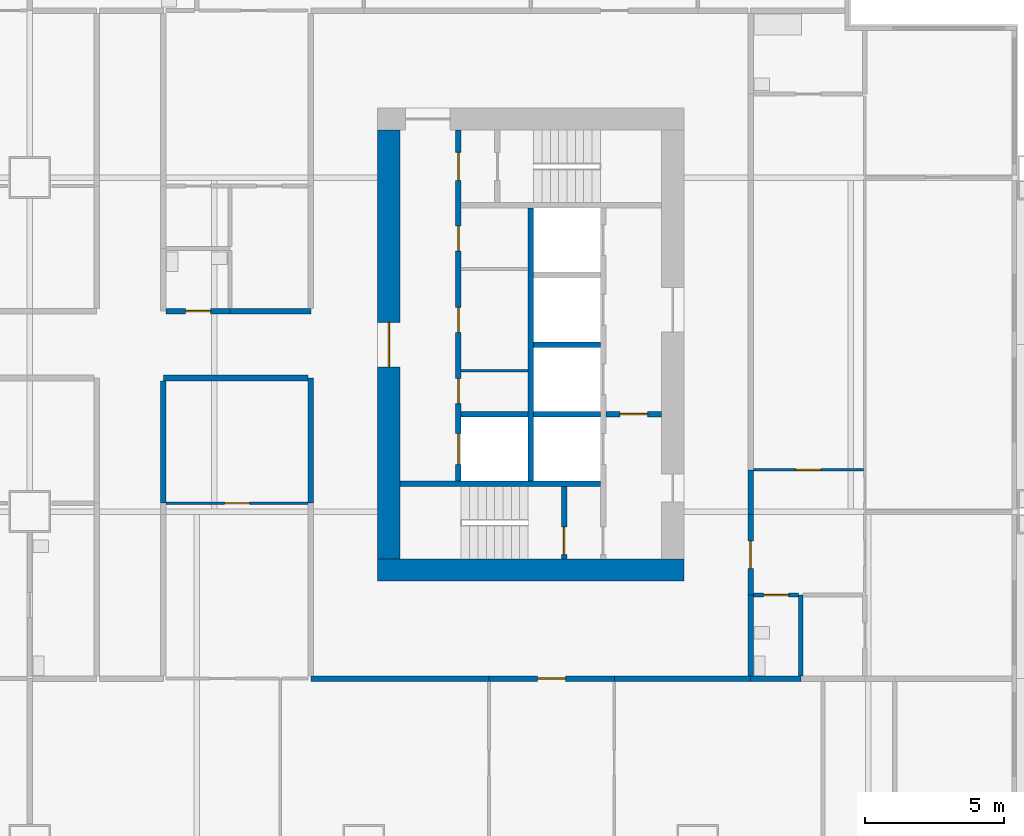
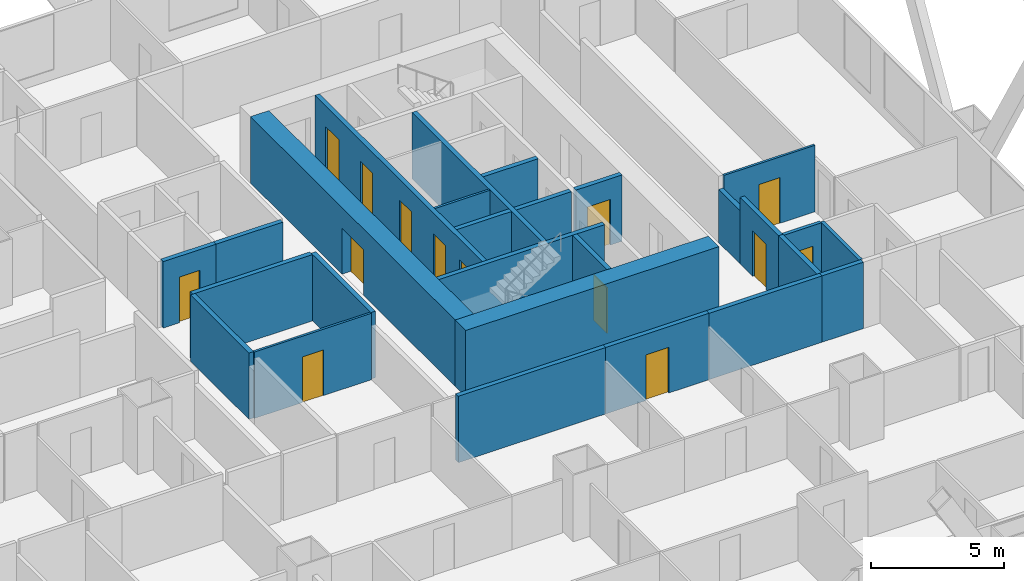
# One storey, part 6 of 13: 27 walls, 14 doors, 14 openings.
"""IFC4 building model written with IfcOpenShell, lengths in metres."""

import ifcopenshell
import ifcopenshell.guid

model = None  # the IFC model being written
_history = None  # IfcOwnerHistory: only IFC2X3 demands one
_inside = {}  # id of a spatial element -> (the spatial element, [elements in it])
_under = {}  # id of a project, library or spatial element -> (it, [spatial elements below it])
_declared = {}  # id of a project -> (the project, [libraries it declares])
_typed = {}  # id of a type object -> (the type object, [elements of that type])
_made_of = {}  # id of a material, layer set ... -> (it, [elements and type objects made of it])


def new_model(schema):
    """Start an empty IFC model of exactly this schema.

    Asked for "IFC4X3", IfcOpenShell would pick the latest addendum, in which some entities
    have other attributes; the version numbers below select the first issue.
    IFC2X3 requires an IfcOwnerHistory on every rooted entity: one is made here for all.
    """
    global model, _history
    if schema == "IFC4X3":
        model = ifcopenshell.file(schema_version=(4, 3, 0, 0))
    else:
        model = ifcopenshell.file(schema=schema)
    _inside.clear()
    _under.clear()
    _declared.clear()
    _typed.clear()
    _made_of.clear()
    _history = None
    if model.schema == "IFC2X3":
        org = make("IfcOrganization", Name="unknown")
        user = make(
            "IfcPersonAndOrganization",
            ThePerson=make("IfcPerson", FamilyName="unknown"),
            TheOrganization=org,
        )
        app = make(
            "IfcApplication",
            ApplicationDeveloper=org,
            Version="unknown",
            ApplicationFullName="unknown",
            ApplicationIdentifier="unknown",
        )
        _history = make(
            "IfcOwnerHistory",
            OwningUser=user,
            OwningApplication=app,
            ChangeAction="ADDED",
            CreationDate=0,
        )
    return model


def make(cls, **values):
    """One entity of the class cls with the attributes given. An attribute that is None is left unset."""
    return model.create_entity(
        cls, **{name: value for name, value in values.items() if value is not None}
    )


def rooted(cls, **values):
    """An entity with a GlobalId (a new one), such as an element, a storey or a relation."""
    return make(cls, GlobalId=ifcopenshell.guid.new(), OwnerHistory=_history, **values)


def si_unit(unit_type, name, prefix=None):
    """IfcSIUnit, for example si_unit("LENGTHUNIT", "METRE", prefix="MILLI")."""
    return make("IfcSIUnit", UnitType=unit_type, Prefix=prefix, Name=name)


def assignment(units):
    """IfcUnitAssignment: the units of a project."""
    return None if units is None else make("IfcUnitAssignment", Units=units)


def point(xyz):
    """IfcCartesianPoint."""
    return None if xyz is None else make("IfcCartesianPoint", Coordinates=xyz)


def direction(xyz):
    """IfcDirection."""
    return None if xyz is None else make("IfcDirection", DirectionRatios=xyz)


def frame(location, z_axis=None, x_axis=None):
    """IfcAxis2Placement3D, a coordinate frame: its origin and axes. An axis left out is left unset."""
    return make(
        "IfcAxis2Placement3D",
        Location=point(location),
        Axis=direction(z_axis),
        RefDirection=direction(x_axis),
    )


def frame_2d(location, x_axis=None):
    """IfcAxis2Placement2D, a coordinate frame in the plane: its origin and x axis."""
    return make(
        "IfcAxis2Placement2D", Location=point(location), RefDirection=direction(x_axis)
    )


def origin():
    """The frame at (0, 0, 0) with its axes left unset."""
    return frame((0.0, 0.0, 0.0))


def place(relative_to, where):
    """IfcLocalPlacement: puts the frame where relative to a parent placement (None: the world)."""
    return make(
        "IfcLocalPlacement", PlacementRelTo=relative_to, RelativePlacement=where
    )


def context(
    kind, dimensions, precision=None, world=None, true_north=None, identifier=None
):
    """IfcGeometricRepresentationContext, for example the 3D "Model" context."""
    return make(
        "IfcGeometricRepresentationContext",
        ContextIdentifier=identifier,
        ContextType=kind,
        CoordinateSpaceDimension=dimensions,
        Precision=precision,
        WorldCoordinateSystem=world,
        TrueNorth=true_north,
    )


def subcontext(parent, identifier, kind, view, scale=None):
    """IfcGeometricRepresentationSubContext, for example "Body" below "Model"."""
    return make(
        "IfcGeometricRepresentationSubContext",
        ContextIdentifier=identifier,
        ContextType=kind,
        ParentContext=parent,
        TargetScale=scale,
        TargetView=view,
    )


def project(units=None, contexts=None):
    """IfcProject with its units and contexts."""
    return rooted(
        "IfcProject",
        Name="project",
        RepresentationContexts=contexts,
        UnitsInContext=assignment(units),
    )


def spatial(cls, under=None, at=None, **own):
    """A site, building, storey or space (cls), placed at a placement, below another one or the project."""
    s = rooted(cls, ObjectPlacement=at, **own)
    if under is not None:
        _under.setdefault(under.id(), (under, []))[1].append(s)
    return s


def profile(cls, at=None, kind="AREA", **sizes):
    """A parametric profile (cls). Its sizes go by their IFC names, for example OverallWidth=200.0."""
    return make(cls, ProfileType=kind, Position=at, **sizes)


def rectangle(**sizes):
    """IfcRectangleProfileDef."""
    return profile("IfcRectangleProfileDef", **sizes)


def extrude(swept, where, along, depth):
    """IfcExtrudedAreaSolid: the profile swept, set in the frame where, extruded along a direction by depth."""
    return make(
        "IfcExtrudedAreaSolid",
        SweptArea=swept,
        Position=where,
        ExtrudedDirection=direction(along),
        Depth=depth,
    )


def shape(context_of_items, identifier, shape_type, items):
    """IfcShapeRepresentation: the items that make up one representation, for example the "Body"."""
    return make(
        "IfcShapeRepresentation",
        ContextOfItems=context_of_items,
        RepresentationIdentifier=identifier,
        RepresentationType=shape_type,
        Items=items,
    )


def material(Name=None, Category=None):
    """IfcMaterial."""
    return make("IfcMaterial", Name=Name, Category=Category)


def layer(
    of_material, thickness, ventilated=None, Name=None, Category=None, Priority=None
):
    """IfcMaterialLayer: one layer of a wall or slab, of a material (None: an air gap)."""
    return make(
        "IfcMaterialLayer",
        Material=of_material,
        LayerThickness=thickness,
        IsVentilated=ventilated,
        Name=Name,
        Category=Category,
        Priority=Priority,
    )


def layer_set(layers, Name=None):
    """IfcMaterialLayerSet."""
    return make("IfcMaterialLayerSet", MaterialLayers=layers, LayerSetName=Name)


def made_of(thing, what):
    """Note that an element or type object is made of a material, layer set ...; save() writes the relation."""
    if what is not None:
        _made_of.setdefault(what.id(), (what, []))[1].append(thing)
    return thing


def type_object(cls, material=None, **own):
    """A type object (cls), such as IfcWallType, which elements share."""
    return made_of(rooted(cls, **own), material)


def element(
    cls,
    number,
    at=None,
    inside=None,
    cuts=None,
    type_object=None,
    material=None,
    context=None,
    identifier="Body",
    shape_type=None,
    held_by="IfcProductDefinitionShape",
    body=None,
    shapes=None,
    **own,
):
    """One element of the class cls, such as IfcWall. Its Tag is "e" and its number.

    at: its placement. inside: the storey or other place that contains it. cuts: it is an
    opening in that element (IfcRelVoidsElement). A single representation is given by context,
    identifier, shape_type and body (its items); several are given by shapes. held_by: the class
    of the entity that holds the representations. save() writes the other relations.
    """
    e = rooted(cls, Tag="e%d" % number, ObjectPlacement=at, **own)
    if body is not None:
        shapes = [shape(context, identifier, shape_type, body)]
    if shapes is not None:
        e.Representation = make(held_by, Representations=shapes)
    if inside is not None:
        _inside.setdefault(inside.id(), (inside, []))[1].append(e)
    if cuts is not None:
        rooted(
            "IfcRelVoidsElement", RelatingBuildingElement=cuts, RelatedOpeningElement=e
        )
    if type_object is not None:
        _typed.setdefault(type_object.id(), (type_object, []))[1].append(e)
    return made_of(e, material)


def fill(opening, filler):
    """IfcRelFillsElement: the door or window that sits in an opening."""
    return rooted(
        "IfcRelFillsElement",
        RelatingOpeningElement=opening,
        RelatedBuildingElement=filler,
    )


def aggregate(whole, parts):
    """IfcRelAggregates: a whole, such as a stair, and the parts it consists of."""
    return rooted("IfcRelAggregates", RelatingObject=whole, RelatedObjects=parts)


def save(model, path):
    """Write the relations noted so far, then the file.

    IfcRelAggregates (storeys below a building ...), IfcRelContainedInSpatialStructure (elements
    in a storey), IfcRelDefinesByType, IfcRelAssociatesMaterial and IfcRelDeclares: one each for
    every whole, place, type object, material and project.
    """
    for whole, parts in _under.values():
        aggregate(whole, parts)
    for where, things in _inside.values():
        rooted(
            "IfcRelContainedInSpatialStructure",
            RelatedElements=things,
            RelatingStructure=where,
        )
    for kind, things in _typed.values():
        rooted("IfcRelDefinesByType", RelatedObjects=things, RelatingType=kind)
    for what, things in _made_of.values():
        rooted("IfcRelAssociatesMaterial", RelatedObjects=things, RelatingMaterial=what)
    for by, libraries in _declared.values():
        rooted("IfcRelDeclares", RelatingContext=by, RelatedDefinitions=libraries)
    model.write(path)


model = new_model("IFC4")

# Units and contexts
model_context = context("Model", 3, precision=1e-05, world=origin(), true_north=direction((0.0, 1.0)))
body_context = subcontext(model_context, "Body", "Model", "MODEL_VIEW")
ifc_project = project(units=[si_unit("LENGTHUNIT", "METRE"), si_unit("AREAUNIT", "SQUARE_METRE"), si_unit("VOLUMEUNIT", "CUBIC_METRE"), si_unit("PLANEANGLEUNIT", "RADIAN"), si_unit("MASSUNIT", "GRAM", prefix="KILO")], contexts=[model_context])

# Site, building, storey
site_placement = place(None, origin())
site = spatial("IfcSite", under=ifc_project, at=site_placement, CompositionType="ELEMENT")
building_placement = place(site_placement, origin())
building = spatial("IfcBuilding", under=site, at=building_placement, Name="Kitamizu Gate Tower and Museum", CompositionType="ELEMENT")
storey_placement = place(building_placement, frame((0.0, 0.0, 71.39990234375)))
storey = spatial("IfcBuildingStorey", under=building, at=storey_placement, Name="L17", CompositionType="ELEMENT", Elevation=71.39990234375)

# Wall
ifc_material_1 = material(Name="Concrete Fc60", Category="concrete")
ifc_layer_1 = layer(ifc_material_1, 0.800048828125)
ifc_layer_set_1 = layer_set([ifc_layer_1], Name="Concrete Fc60")
wall_type_1 = type_object("IfcWallType", Name="Core wall 800", PredefinedType="SHEAR", material=ifc_layer_set_1)
wall_1_placement = place(storey_placement, frame((59.5, 21.89990234375, 0.0), z_axis=(0.0, 0.0, 1.0), x_axis=(-1.0, 0.0, 0.0)))
element("IfcWall", 1, at=wall_1_placement, inside=storey, type_object=wall_type_1, Name="Core wall ES", PredefinedType="SHEAR", context=body_context, shape_type="SweptSolid", body=[
    extrude(rectangle(XDim=11.0, YDim=0.800048828125, at=frame_2d((5.5, 0.0))), origin(), (0.0, 0.0, 1.0), 3.050048828125),
])

# Wall, opening, door
wall_2_placement = place(storey_placement, frame((48.89990234375, 22.300048828125, 0.0), z_axis=(0.0, 0.0, 1.0), x_axis=(0.0, 1.0, 0.0)))
wall_2 = element("IfcWall", 2, at=wall_2_placement, inside=storey, type_object=wall_type_1, Name="Core wall EARC", PredefinedType="SHEAR", context=body_context, shape_type="SweptSolid", body=[
    extrude(rectangle(XDim=15.39990234375, YDim=0.800048828125, at=frame_2d((7.699951171875, 0.0))), origin(), (0.0, 0.0, 1.0), 3.050048828125),
])
opening_1_placement = place(wall_2_placement, frame((6.89990234375, 0.0, 0.0)))
opening_1 = element("IfcOpeningElement", 3, at=opening_1_placement, cuts=wall_2, Name="Opening L17-091", PredefinedType="OPENING", context=body_context, shape_type="SweptSolid", body=[
    extrude(rectangle(XDim=1.60009765625, YDim=2.10009765625, at=frame_2d((0.800048828125, 1.050048828125))), frame((0.0, 0.41015625, 0.0), z_axis=(0.0, -1.0, 0.0), x_axis=(1.0, 0.0, 0.0)), (0.0, 0.0, 1.0), 0.820068359375),
])
ifc_material_2 = material(Name="Timber door set", Category="wood")
door_type_1 = type_object("IfcDoorType", Name="Entrance door 1600", OperationType="DOUBLE_DOOR_SINGLE_SWING", PredefinedType="DOOR", material=ifc_material_2)
door_1_placement = place(opening_1_placement, origin())
door_1 = element("IfcDoor", 4, at=door_1_placement, inside=storey, type_object=door_type_1, Name="Lobby door L17-091", OperationType="DOUBLE_DOOR_SINGLE_SWING", OverallHeight=2.10009765625, OverallWidth=1.60009765625, PredefinedType="DOOR", context=body_context, shape_type="SweptSolid", body=[
    extrude(rectangle(XDim=1.60009765625, YDim=2.10009765625, at=frame_2d((0.800048828125, 1.050048828125))), frame((0.0, 0.02490234375, 0.0), z_axis=(0.0, -1.0, 0.0), x_axis=(1.0, 0.0, 0.0)), (0.0, 0.0, 1.0), 0.050048828125),
])
fill(opening_1, door_1)

# Wall
ifc_material_3 = material(Name="Gypsum board on galvanised stud")
ifc_layer_2 = layer(ifc_material_3, 0.10009765625)
ifc_layer_set_2 = layer_set([ifc_layer_2], Name="Gypsum board on galvanised stud")
wall_type_2 = type_object("IfcWallType", Name="Partition 100", PredefinedType="PARTITIONING", material=ifc_layer_set_2)
wall_3_placement = place(storey_placement, frame((53.89990234375, 29.06005859375, 0.0), z_axis=(0.0, 0.0, 1.0), x_axis=(-1.0, 0.0, 0.0)))
element("IfcWall", 5, at=wall_3_placement, inside=storey, type_object=wall_type_2, Name="Partition EPF1", PredefinedType="PARTITIONING", context=body_context, shape_type="SweptSolid", body=[
    extrude(rectangle(XDim=2.39990234375, YDim=0.10009765625, at=frame_2d((1.199951171875, 0.0))), origin(), (0.0, 0.0, 1.0), 3.050048828125),
])

# Wall, opening, door
ifc_material_4 = material(Name="Gypsum board on galvanised stud")
ifc_layer_3 = layer(ifc_material_4, 0.10009765625)
ifc_layer_set_3 = layer_set([ifc_layer_3], Name="Gypsum board on galvanised stud")
wall_type_3 = type_object("IfcWallType", Name="Partition 100 NOT RATED", PredefinedType="PARTITIONING", material=ifc_layer_set_3)
wall_4_placement = place(storey_placement, frame((46.0, 24.300048828125, 0.0), z_axis=(0.0, 0.0, 1.0), x_axis=(-1.0, 0.0, 0.0)))
wall_4 = element("IfcWall", 6, at=wall_4_placement, inside=storey, type_object=wall_type_3, Name="Partition L17-113", PredefinedType="PARTITIONING", context=body_context, shape_type="SweptSolid", body=[
    extrude(rectangle(XDim=5.10009765625, YDim=0.10009765625, at=frame_2d((2.550048828125, 0.0))), origin(), (0.0, 0.0, 1.0), 3.050048828125),
])
opening_2_placement = place(wall_4_placement, frame((2.10009765625, 0.0, 0.0)))
opening_2 = element("IfcOpeningElement", 7, at=opening_2_placement, cuts=wall_4, Name="Opening L17-042", PredefinedType="OPENING", context=body_context, shape_type="SweptSolid", body=[
    extrude(rectangle(XDim=0.89990234375, YDim=2.10009765625, at=frame_2d((0.449951171875, 1.050048828125))), frame((0.0, 0.06005859375, 0.0), z_axis=(0.0, -1.0, 0.0), x_axis=(1.0, 0.0, 0.0)), (0.0, 0.0, 1.0), 0.1201171875),
])
ifc_material_5 = material(Name="Timber door set", Category="wood")
door_type_2 = type_object("IfcDoorType", Name="Room door 900", OperationType="NOTDEFINED", PredefinedType="DOOR", material=ifc_material_5)
door_2_placement = place(opening_2_placement, frame((0.89990234375, 0.0, 0.0), x_axis=(-1.0, 0.0, 0.0)))
door_2 = element("IfcDoor", 8, at=door_2_placement, inside=storey, type_object=door_type_2, Name="Door L17-042", OperationType="SINGLE_SWING_RIGHT", OverallHeight=2.10009765625, OverallWidth=0.89990234375, PredefinedType="DOOR", context=body_context, shape_type="SweptSolid", body=[
    extrude(rectangle(XDim=0.89990234375, YDim=2.10009765625, at=frame_2d((0.449951171875, 1.050048828125))), frame((0.0, 0.02490234375, 0.0), z_axis=(0.0, -1.0, 0.0), x_axis=(1.0, 0.0, 0.0)), (0.0, 0.0, 1.0), 0.050048828125),
])
fill(opening_2, door_2)

wall_5_placement = place(storey_placement, frame((65.949951171875, 25.5, 0.0), z_axis=(0.0, 0.0, 1.0), x_axis=(-1.0, 0.0, 0.0)))
wall_5 = element("IfcWall", 9, at=wall_5_placement, inside=storey, type_object=wall_type_3, Name="Partition L17-132", PredefinedType="PARTITIONING", context=body_context, shape_type="SweptSolid", body=[
    extrude(rectangle(XDim=3.949951171875, YDim=0.10009765625, at=frame_2d((1.97509765625, 0.0))), origin(), (0.0, 0.0, 1.0), 3.050048828125),
])
opening_3_placement = place(wall_5_placement, frame((1.52490234375, 0.0, 0.0)))
opening_3 = element("IfcOpeningElement", 10, at=opening_3_placement, cuts=wall_5, Name="Opening L17-046", PredefinedType="OPENING", context=body_context, shape_type="SweptSolid", body=[
    extrude(rectangle(XDim=0.89990234375, YDim=2.10009765625, at=frame_2d((0.449951171875, 1.050048828125))), frame((0.0, 0.06005859375, 0.0), z_axis=(0.0, -1.0, 0.0), x_axis=(1.0, 0.0, 0.0)), (0.0, 0.0, 1.0), 0.1201171875),
])
door_3_placement = place(opening_3_placement, origin())
door_3 = element("IfcDoor", 11, at=door_3_placement, inside=storey, type_object=door_type_2, Name="Door L17-046", OperationType="SINGLE_SWING_RIGHT", OverallHeight=2.10009765625, OverallWidth=0.89990234375, PredefinedType="DOOR", context=body_context, shape_type="SweptSolid", body=[
    extrude(rectangle(XDim=0.89990234375, YDim=2.10009765625, at=frame_2d((0.449951171875, 1.050048828125))), frame((0.0, 0.02490234375, 0.0), z_axis=(0.0, -1.0, 0.0), x_axis=(1.0, 0.0, 0.0)), (0.0, 0.0, 1.0), 0.050048828125),
])
fill(opening_3, door_3)

# Wall
ifc_material_6 = material(Name="Gypsum board on galvanised stud")
ifc_layer_4 = layer(ifc_material_6, 0.14990234375)
ifc_layer_set_4 = layer_set([ifc_layer_4], Name="Gypsum board on galvanised stud")
wall_type_4 = type_object("IfcWallType", Name="Partition 150", PredefinedType="PARTITIONING", material=ifc_layer_set_4)
wall_6_placement = place(storey_placement, frame((63.699951171875, 18.10009765625, 0.0), z_axis=(0.0, 0.0, 1.0), x_axis=(0.0, 1.0, 0.0)))
element("IfcWall", 12, at=wall_6_placement, inside=storey, type_object=wall_type_4, Name="Partition L17-128", PredefinedType="PARTITIONING", context=body_context, shape_type="SweptSolid", body=[
    extrude(rectangle(XDim=2.89990234375, YDim=0.14990234375, at=frame_2d((1.449951171875, 0.0))), origin(), (0.0, 0.0, 1.0), 3.050048828125),
])

# Wall, opening, door
wall_7_placement = place(storey_placement, frame((63.625, 21.0, 0.0), z_axis=(0.0, 0.0, 1.0), x_axis=(-1.0, 0.0, 0.0)))
wall_7 = element("IfcWall", 13, at=wall_7_placement, inside=storey, type_object=wall_type_4, Name="Partition L17-129", PredefinedType="PARTITIONING", context=body_context, shape_type="SweptSolid", body=[
    extrude(rectangle(XDim=1.625, YDim=0.14990234375, at=frame_2d((0.8125, 0.0))), origin(), (0.0, 0.0, 1.0), 3.050048828125),
])
opening_4_placement = place(wall_7_placement, frame((0.362548828125, 0.0, 0.0)))
opening_4 = element("IfcOpeningElement", 14, at=opening_4_placement, cuts=wall_7, Name="Opening L17-048", PredefinedType="OPENING", context=body_context, shape_type="SweptSolid", body=[
    extrude(rectangle(XDim=0.89990234375, YDim=2.10009765625, at=frame_2d((0.449951171875, 1.050048828125))), frame((0.0, 0.0849609375, 0.0), z_axis=(0.0, -1.0, 0.0), x_axis=(1.0, 0.0, 0.0)), (0.0, 0.0, 1.0), 0.169921875),
])
ifc_material_7 = material(Name="Timber door set", Category="wood")
door_type_3 = type_object("IfcDoorType", Name="Bathroom door 900", OperationType="NOTDEFINED", PredefinedType="DOOR", material=ifc_material_7)
door_4_placement = place(opening_4_placement, origin())
door_4 = element("IfcDoor", 15, at=door_4_placement, inside=storey, type_object=door_type_3, Name="Bathroom door L17-048", OperationType="SINGLE_SWING_RIGHT", OverallHeight=2.10009765625, OverallWidth=0.89990234375, PredefinedType="DOOR", context=body_context, shape_type="SweptSolid", body=[
    extrude(rectangle(XDim=0.89990234375, YDim=2.10009765625, at=frame_2d((0.449951171875, 1.050048828125))), frame((0.0, 0.02490234375, 0.0), z_axis=(0.0, -1.0, 0.0), x_axis=(1.0, 0.0, 0.0)), (0.0, 0.0, 1.0), 0.050048828125),
])
fill(opening_4, door_4)

# Wall
ifc_material_8 = material(Name="Gypsum board on galvanised stud")
ifc_layer_5 = layer(ifc_material_8, 0.199951171875)
ifc_layer_set_5 = layer_set([ifc_layer_5], Name="Gypsum board on galvanised stud")
wall_type_5 = type_object("IfcWallType", Name="Partition 200", PredefinedType="PARTITIONING", material=ifc_layer_set_5)
wall_8_placement = place(storey_placement, frame((52.5, 18.0, 0.0), z_axis=(0.0, 0.0, 1.0), x_axis=(-1.0, 0.0, 0.0)))
element("IfcWall", 16, at=wall_8_placement, inside=storey, type_object=wall_type_5, Name="Partition L17-102", PredefinedType="PARTITIONING", context=body_context, shape_type="SweptSolid", body=[
    extrude(rectangle(XDim=6.39990234375, YDim=0.199951171875, at=frame_2d((3.199951171875, 0.0))), origin(), (0.0, 0.0, 1.0), 3.050048828125),
])

# Wall, opening, door
wall_9_placement = place(storey_placement, frame((57.0, 18.0, 0.0), z_axis=(0.0, 0.0, 1.0), x_axis=(-1.0, 0.0, 0.0)))
wall_9 = element("IfcWall", 17, at=wall_9_placement, inside=storey, type_object=wall_type_5, Name="Partition L17-104", PredefinedType="PARTITIONING", context=body_context, shape_type="SweptSolid", body=[
    extrude(rectangle(XDim=4.5, YDim=0.199951171875, at=frame_2d((2.25, 0.0))), origin(), (0.0, 0.0, 1.0), 3.050048828125),
])
opening_5_placement = place(wall_9_placement, frame((1.75, 0.0, 0.0)))
opening_5 = element("IfcOpeningElement", 18, at=opening_5_placement, cuts=wall_9, Name="Opening L17-026", PredefinedType="OPENING", context=body_context, shape_type="SweptSolid", body=[
    extrude(rectangle(XDim=1.0, YDim=2.10009765625, at=frame_2d((0.5, 1.050048828125))), frame((0.0, 0.10986328125, 0.0), z_axis=(0.0, -1.0, 0.0), x_axis=(1.0, 0.0, 0.0)), (0.0, 0.0, 1.0), 0.219970703125),
])
ifc_material_9 = material(Name="Timber door set", Category="wood")
door_type_4 = type_object("IfcDoorType", Name="Flat entrance door 1000", OperationType="NOTDEFINED", PredefinedType="DOOR", material=ifc_material_9)
door_5_placement = place(opening_5_placement, origin())
door_5 = element("IfcDoor", 19, at=door_5_placement, inside=storey, type_object=door_type_4, Name="Flat entrance door L17-026", OperationType="SINGLE_SWING_LEFT", OverallHeight=2.10009765625, OverallWidth=1.0, PredefinedType="DOOR", context=body_context, shape_type="SweptSolid", body=[
    extrude(rectangle(XDim=1.0, YDim=2.10009765625, at=frame_2d((0.5, 1.050048828125))), frame((0.0, 0.02490234375, 0.0), z_axis=(0.0, -1.0, 0.0), x_axis=(1.0, 0.0, 0.0)), (0.0, 0.0, 1.0), 0.050048828125),
])
fill(opening_5, door_5)

# Walls
wall_10_placement = place(storey_placement, frame((63.699951171875, 18.0, 0.0), z_axis=(0.0, 0.0, 1.0), x_axis=(-1.0, 0.0, 0.0)))
element("IfcWall", 20, at=wall_10_placement, inside=storey, type_object=wall_type_5, Name="Partition L17-106", PredefinedType="PARTITIONING", context=body_context, shape_type="SweptSolid", body=[
    extrude(rectangle(XDim=1.800048828125, YDim=0.199951171875, at=frame_2d((0.89990234375, 0.0))), origin(), (0.0, 0.0, 1.0), 3.050048828125),
])
wall_11_placement = place(storey_placement, frame((61.89990234375, 18.0, 0.0), z_axis=(0.0, 0.0, 1.0), x_axis=(-1.0, 0.0, 0.0)))
element("IfcWall", 21, at=wall_11_placement, inside=storey, type_object=wall_type_5, Name="Partition L17-108", PredefinedType="PARTITIONING", context=body_context, shape_type="SweptSolid", body=[
    extrude(rectangle(XDim=4.89990234375, YDim=0.199951171875, at=frame_2d((2.449951171875, 0.0))), origin(), (0.0, 0.0, 1.0), 3.050048828125),
])
wall_12_placement = place(storey_placement, frame((46.10009765625, 24.300048828125, 0.0), z_axis=(0.0, 0.0, 1.0), x_axis=(0.0, 1.0, 0.0)))
element("IfcWall", 22, at=wall_12_placement, inside=storey, type_object=wall_type_5, Name="Partition L17-117", PredefinedType="PARTITIONING", context=body_context, shape_type="SweptSolid", body=[
    extrude(rectangle(XDim=4.5, YDim=0.199951171875, at=frame_2d((2.25, 0.0))), origin(), (0.0, 0.0, 1.0), 3.050048828125),
])
wall_13_placement = place(storey_placement, frame((46.0, 28.800048828125, 0.0), z_axis=(0.0, 0.0, 1.0), x_axis=(-1.0, 0.0, 0.0)))
element("IfcWall", 23, at=wall_13_placement, inside=storey, type_object=wall_type_5, Name="Partition L17-118", PredefinedType="PARTITIONING", context=body_context, shape_type="SweptSolid", body=[
    extrude(rectangle(XDim=5.199951171875, YDim=0.199951171875, at=frame_2d((2.60009765625, 0.0))), origin(), (0.0, 0.0, 1.0), 3.050048828125),
])
wall_14_placement = place(storey_placement, frame((40.800048828125, 28.699951171875, 0.0), z_axis=(0.0, 0.0, 1.0), x_axis=(0.0, -1.0, 0.0)))
element("IfcWall", 24, at=wall_14_placement, inside=storey, type_object=wall_type_5, Name="Partition L17-119", PredefinedType="PARTITIONING", context=body_context, shape_type="SweptSolid", body=[
    extrude(rectangle(XDim=4.39990234375, YDim=0.199951171875, at=frame_2d((2.199951171875, 0.0))), origin(), (0.0, 0.0, 1.0), 3.050048828125),
])
wall_15_placement = place(storey_placement, frame((61.89990234375, 21.0, 0.0), z_axis=(0.0, 0.0, 1.0), x_axis=(0.0, -1.0, 0.0)))
element("IfcWall", 25, at=wall_15_placement, inside=storey, type_object=wall_type_5, Name="Partition L17-130", PredefinedType="PARTITIONING", context=body_context, shape_type="SweptSolid", body=[
    extrude(rectangle(XDim=2.89990234375, YDim=0.199951171875, at=frame_2d((1.449951171875, 0.0))), origin(), (0.0, 0.0, 1.0), 3.050048828125),
])
wall_16_placement = place(storey_placement, frame((61.89990234375, 25.5, 0.0), z_axis=(0.0, 0.0, 1.0), x_axis=(0.0, -1.0, 0.0)))
element("IfcWall", 26, at=wall_16_placement, inside=storey, type_object=wall_type_5, Name="Partition L17-133", PredefinedType="PARTITIONING", context=body_context, shape_type="SweptSolid", body=[
    extrude(rectangle(XDim=1.60009765625, YDim=0.199951171875, at=frame_2d((0.800048828125, 0.0))), origin(), (0.0, 0.0, 1.0), 2.4501953125),
])

# Wall, opening, door
wall_17_placement = place(storey_placement, frame((61.89990234375, 23.89990234375, 0.0), z_axis=(0.0, 0.0, 1.0), x_axis=(0.0, -1.0, 0.0)))
wall_17 = element("IfcWall", 27, at=wall_17_placement, inside=storey, type_object=wall_type_5, Name="Partition L17-134", PredefinedType="PARTITIONING", context=body_context, shape_type="SweptSolid", body=[
    extrude(rectangle(XDim=2.89990234375, YDim=0.199951171875, at=frame_2d((1.449951171875, 0.0))), origin(), (0.0, 0.0, 1.0), 3.050048828125),
])
opening_6_placement = place(wall_17_placement, frame((0.949951171875, 0.0, 0.0)))
opening_6 = element("IfcOpeningElement", 28, at=opening_6_placement, cuts=wall_17, Name="Opening L17-043", PredefinedType="OPENING", context=body_context, shape_type="SweptSolid", body=[
    extrude(rectangle(XDim=1.0, YDim=2.10009765625, at=frame_2d((0.5, 1.050048828125))), frame((0.0, 0.10986328125, 0.0), z_axis=(0.0, -1.0, 0.0), x_axis=(1.0, 0.0, 0.0)), (0.0, 0.0, 1.0), 0.219970703125),
])
door_6_placement = place(opening_6_placement, origin())
door_6 = element("IfcDoor", 29, at=door_6_placement, inside=storey, type_object=door_type_4, Name="Flat entrance door L17-043", OperationType="SINGLE_SWING_LEFT", OverallHeight=2.10009765625, OverallWidth=1.0, PredefinedType="DOOR", context=body_context, shape_type="SweptSolid", body=[
    extrude(rectangle(XDim=1.0, YDim=2.10009765625, at=frame_2d((0.5, 1.050048828125))), frame((0.0, 0.02490234375, 0.0), z_axis=(0.0, -1.0, 0.0), x_axis=(1.0, 0.0, 0.0)), (0.0, 0.0, 1.0), 0.050048828125),
])
fill(opening_6, door_6)

wall_18_placement = place(storey_placement, frame((40.89990234375, 31.199951171875, 0.0), z_axis=(0.0, 0.0, 1.0), x_axis=(1.0, 0.0, 0.0)))
wall_18 = element("IfcWall", 30, at=wall_18_placement, inside=storey, type_object=wall_type_5, Name="Partition L17-192", PredefinedType="PARTITIONING", context=body_context, shape_type="SweptSolid", body=[
    extrude(rectangle(XDim=2.300048828125, YDim=0.199951171875, at=frame_2d((1.14990234375, 0.0))), origin(), (0.0, 0.0, 1.0), 3.050048828125),
])
opening_7_placement = place(wall_18_placement, frame((0.699951171875, 0.0, 0.0)))
opening_7 = element("IfcOpeningElement", 31, at=opening_7_placement, cuts=wall_18, Name="Opening L17-070", PredefinedType="OPENING", context=body_context, shape_type="SweptSolid", body=[
    extrude(rectangle(XDim=0.89990234375, YDim=2.10009765625, at=frame_2d((0.449951171875, 1.050048828125))), frame((0.0, 0.10986328125, 0.0), z_axis=(0.0, -1.0, 0.0), x_axis=(1.0, 0.0, 0.0)), (0.0, 0.0, 1.0), 0.219970703125),
])
ifc_material_10 = material(Name="Timber door set", Category="wood")
door_type_5 = type_object("IfcDoorType", Name="Store door 900", OperationType="NOTDEFINED", PredefinedType="DOOR", material=ifc_material_10)
door_7_placement = place(opening_7_placement, origin())
door_7 = element("IfcDoor", 32, at=door_7_placement, inside=storey, type_object=door_type_5, Name="Service entrance door L17-070", OperationType="SINGLE_SWING_LEFT", OverallHeight=2.10009765625, OverallWidth=0.89990234375, PredefinedType="DOOR", context=body_context, shape_type="SweptSolid", body=[
    extrude(rectangle(XDim=0.89990234375, YDim=2.10009765625, at=frame_2d((0.449951171875, 1.050048828125))), frame((0.0, 0.02490234375, 0.0), z_axis=(0.0, -1.0, 0.0), x_axis=(1.0, 0.0, 0.0)), (0.0, 0.0, 1.0), 0.050048828125),
])
fill(opening_7, door_7)

# Wall
wall_19_placement = place(storey_placement, frame((43.199951171875, 31.199951171875, 0.0), z_axis=(0.0, 0.0, 1.0), x_axis=(1.0, 0.0, 0.0)))
element("IfcWall", 33, at=wall_19_placement, inside=storey, type_object=wall_type_5, Name="Partition L17-195", PredefinedType="PARTITIONING", context=body_context, shape_type="SweptSolid", body=[
    extrude(rectangle(XDim=2.900146484375, YDim=0.199951171875, at=frame_2d((1.4501953125, 0.0))), origin(), (0.0, 0.0, 1.0), 3.050048828125),
])

# Wall, openings, doors
ifc_material_11 = material(Name="Concrete Fc42", Category="concrete")
ifc_layer_6 = layer(ifc_material_11, 0.199951171875)
ifc_layer_set_6 = layer_set([ifc_layer_6], Name="Concrete Fc42")
wall_type_6 = type_object("IfcWallType", Name="Shaft wall 200", PredefinedType="SOLIDWALL", material=ifc_layer_set_6)
wall_20_placement = place(storey_placement, frame((51.39990234375, 25.10009765625, 0.0), z_axis=(0.0, 0.0, 1.0), x_axis=(0.0, 1.0, 0.0)))
wall_20 = element("IfcWall", 34, at=wall_20_placement, inside=storey, type_object=wall_type_6, Name="Shaft wall EEAST", PredefinedType="SOLIDWALL", context=body_context, shape_type="SweptSolid", body=[
    extrude(rectangle(XDim=12.599853515625, YDim=0.199951171875, at=frame_2d((6.2998046875, 0.0))), origin(), (0.0, 0.0, 1.0), 3.050048828125),
])
opening_8_placement = place(wall_20_placement, frame((0.60009765625, 0.0, 0.0)))
opening_8 = element("IfcOpeningElement", 35, at=opening_8_placement, cuts=wall_20, Name="Opening LD", PredefinedType="OPENING", context=body_context, shape_type="SweptSolid", body=[
    extrude(rectangle(XDim=1.10009765625, YDim=2.10009765625, at=frame_2d((0.550048828125, 1.050048828125))), frame((0.0, 0.10986328125, 0.0), z_axis=(0.0, -1.0, 0.0), x_axis=(1.0, 0.0, 0.0)), (0.0, 0.0, 1.0), 0.219970703125),
])
opening_9_placement = place(wall_20_placement, frame((10.800048828125, 0.0, 0.0)))
opening_9 = element("IfcOpeningElement", 36, at=opening_9_placement, cuts=wall_20, Name="Opening L17-085", PredefinedType="OPENING", context=body_context, shape_type="SweptSolid", body=[
    extrude(rectangle(XDim=1.0, YDim=2.10009765625, at=frame_2d((0.5, 1.050048828125))), frame((0.0, 0.10986328125, 0.0), z_axis=(0.0, -1.0, 0.0), x_axis=(1.0, 0.0, 0.0)), (0.0, 0.0, 1.0), 0.219970703125),
])
opening_10_placement = place(wall_20_placement, frame((2.780029296875, 0.0, 0.0)))
opening_10 = element("IfcOpeningElement", 37, at=opening_10_placement, cuts=wall_20, Name="Opening L17-092", PredefinedType="OPENING", context=body_context, shape_type="SweptSolid", body=[
    extrude(rectangle(XDim=0.89990234375, YDim=2.10009765625, at=frame_2d((0.449951171875, 1.050048828125))), frame((0.0, 0.10986328125, 0.0), z_axis=(0.0, -1.0, 0.0), x_axis=(1.0, 0.0, 0.0)), (0.0, 0.0, 1.0), 0.219970703125),
])
opening_11_placement = place(wall_20_placement, frame((5.3349609375, 0.0, 0.0)))
opening_11 = element("IfcOpeningElement", 38, at=opening_11_placement, cuts=wall_20, Name="Opening L17-093", PredefinedType="OPENING", context=body_context, shape_type="SweptSolid", body=[
    extrude(rectangle(XDim=0.89990234375, YDim=2.10009765625, at=frame_2d((0.449951171875, 1.050048828125))), frame((0.0, 0.10986328125, 0.0), z_axis=(0.0, -1.0, 0.0), x_axis=(1.0, 0.0, 0.0)), (0.0, 0.0, 1.0), 0.219970703125),
])
opening_12_placement = place(wall_20_placement, frame((8.2548828125, 0.0, 0.0)))
opening_12 = element("IfcOpeningElement", 39, at=opening_12_placement, cuts=wall_20, Name="Opening L17-094", PredefinedType="OPENING", context=body_context, shape_type="SweptSolid", body=[
    extrude(rectangle(XDim=0.89990234375, YDim=2.10009765625, at=frame_2d((0.449951171875, 1.050048828125))), frame((0.0, 0.10986328125, 0.0), z_axis=(0.0, -1.0, 0.0), x_axis=(1.0, 0.0, 0.0)), (0.0, 0.0, 1.0), 0.219970703125),
])
ifc_material_12 = material(Name="Hollow metal door set")
door_type_6 = type_object("IfcDoorType", Name="Fire door 1000", OperationType="NOTDEFINED", PredefinedType="DOOR", material=ifc_material_12)
door_8_placement = place(opening_9_placement, frame((1.0, 0.0, 0.0), x_axis=(-1.0, 0.0, 0.0)))
door_8 = element("IfcDoor", 40, at=door_8_placement, inside=storey, type_object=door_type_6, Name="Stair lobby door L17-085", OperationType="SINGLE_SWING_RIGHT", OverallHeight=2.10009765625, OverallWidth=1.0, PredefinedType="DOOR", context=body_context, shape_type="SweptSolid", body=[
    extrude(rectangle(XDim=1.0, YDim=2.10009765625, at=frame_2d((0.5, 1.050048828125))), frame((0.0, 0.02490234375, 0.0), z_axis=(0.0, -1.0, 0.0), x_axis=(1.0, 0.0, 0.0)), (0.0, 0.0, 1.0), 0.050048828125),
])
fill(opening_9, door_8)
ifc_material_13 = material(Name="Hollow metal door set")
door_type_7 = type_object("IfcDoorType", Name="Landing door 1100", OperationType="SLIDING_TO_LEFT", PredefinedType="DOOR", material=ifc_material_13)
door_9_placement = place(opening_8_placement, origin())
door_9 = element("IfcDoor", 41, at=door_9_placement, inside=storey, type_object=door_type_7, Name="Landing door ESV1", OperationType="SLIDING_TO_LEFT", OverallHeight=2.10009765625, OverallWidth=1.10009765625, PredefinedType="DOOR", context=body_context, shape_type="SweptSolid", body=[
    extrude(rectangle(XDim=1.10009765625, YDim=2.10009765625, at=frame_2d((0.550048828125, 1.050048828125))), frame((0.0, 0.02490234375, 0.0), z_axis=(0.0, -1.0, 0.0), x_axis=(1.0, 0.0, 0.0)), (0.0, 0.0, 1.0), 0.050048828125),
])
fill(opening_8, door_9)
ifc_material_14 = material(Name="Timber door set", Category="wood")
door_type_8 = type_object("IfcDoorType", Name="Service door 900", OperationType="NOTDEFINED", PredefinedType="DOOR", material=ifc_material_14)
door_10_placement = place(opening_10_placement, frame((0.89990234375, 0.0, 0.0), x_axis=(-1.0, 0.0, 0.0)))
door_10 = element("IfcDoor", 42, at=door_10_placement, inside=storey, type_object=door_type_8, Name="Service door L17-092", OperationType="SINGLE_SWING_RIGHT", OverallHeight=2.10009765625, OverallWidth=0.89990234375, PredefinedType="DOOR", context=body_context, shape_type="SweptSolid", body=[
    extrude(rectangle(XDim=0.89990234375, YDim=2.10009765625, at=frame_2d((0.449951171875, 1.050048828125))), frame((0.0, 0.02490234375, 0.0), z_axis=(0.0, -1.0, 0.0), x_axis=(1.0, 0.0, 0.0)), (0.0, 0.0, 1.0), 0.050048828125),
])
fill(opening_10, door_10)
door_11_placement = place(opening_11_placement, frame((0.89990234375, 0.0, 0.0), x_axis=(-1.0, 0.0, 0.0)))
door_11 = element("IfcDoor", 43, at=door_11_placement, inside=storey, type_object=door_type_8, Name="Service door L17-093", OperationType="SINGLE_SWING_LEFT", OverallHeight=2.10009765625, OverallWidth=0.89990234375, PredefinedType="DOOR", context=body_context, shape_type="SweptSolid", body=[
    extrude(rectangle(XDim=0.89990234375, YDim=2.10009765625, at=frame_2d((0.449951171875, 1.050048828125))), frame((0.0, 0.02490234375, 0.0), z_axis=(0.0, -1.0, 0.0), x_axis=(1.0, 0.0, 0.0)), (0.0, 0.0, 1.0), 0.050048828125),
])
fill(opening_11, door_11)
door_12_placement = place(opening_12_placement, frame((0.89990234375, 0.0, 0.0), x_axis=(-1.0, 0.0, 0.0)))
door_12 = element("IfcDoor", 44, at=door_12_placement, inside=storey, type_object=door_type_8, Name="Service door L17-094", OperationType="SINGLE_SWING_RIGHT", OverallHeight=2.10009765625, OverallWidth=0.89990234375, PredefinedType="DOOR", context=body_context, shape_type="SweptSolid", body=[
    extrude(rectangle(XDim=0.89990234375, YDim=2.10009765625, at=frame_2d((0.449951171875, 1.050048828125))), frame((0.0, 0.02490234375, 0.0), z_axis=(0.0, -1.0, 0.0), x_axis=(1.0, 0.0, 0.0)), (0.0, 0.0, 1.0), 0.050048828125),
])
fill(opening_12, door_12)

# Walls
wall_21_placement = place(storey_placement, frame((54.0, 25.10009765625, 0.0), z_axis=(0.0, 0.0, 1.0), x_axis=(0.0, 1.0, 0.0)))
element("IfcWall", 45, at=wall_21_placement, inside=storey, type_object=wall_type_6, Name="Shaft wall EMID", PredefinedType="SOLIDWALL", context=body_context, shape_type="SweptSolid", body=[
    extrude(rectangle(XDim=9.7998046875, YDim=0.199951171875, at=frame_2d((4.89990234375, 0.0))), origin(), (0.0, 0.0, 1.0), 3.050048828125),
])
wall_22_placement = place(storey_placement, frame((56.5, 25.0, 0.0), z_axis=(0.0, 0.0, 1.0), x_axis=(-1.0, 0.0, 0.0)))
element("IfcWall", 46, at=wall_22_placement, inside=storey, type_object=wall_type_6, Name="Shaft wall ESB", PredefinedType="SOLIDWALL", context=body_context, shape_type="SweptSolid", body=[
    extrude(rectangle(XDim=7.199951171875, YDim=0.199951171875, at=frame_2d((3.60009765625, 0.0))), origin(), (0.0, 0.0, 1.0), 3.050048828125),
])

# Wall, opening, door
wall_23_placement = place(storey_placement, frame((58.699951171875, 27.5, 0.0), z_axis=(0.0, 0.0, 1.0), x_axis=(-1.0, 0.0, 0.0)))
wall_23 = element("IfcWall", 47, at=wall_23_placement, inside=storey, type_object=wall_type_6, Name="Shaft wall EFFN", PredefinedType="SOLIDWALL", context=body_context, shape_type="SweptSolid", body=[
    extrude(rectangle(XDim=2.0, YDim=0.199951171875, at=frame_2d((1.0, 0.0))), origin(), (0.0, 0.0, 1.0), 3.050048828125),
])
opening_13_placement = place(wall_23_placement, frame((0.5, 0.0, 0.0)))
opening_13 = element("IfcOpeningElement", 48, at=opening_13_placement, cuts=wall_23, Name="Opening L17-087", PredefinedType="OPENING", context=body_context, shape_type="SweptSolid", body=[
    extrude(rectangle(XDim=1.0, YDim=2.10009765625, at=frame_2d((0.5, 1.050048828125))), frame((0.0, 0.10986328125, 0.0), z_axis=(0.0, -1.0, 0.0), x_axis=(1.0, 0.0, 0.0)), (0.0, 0.0, 1.0), 0.219970703125),
])
door_13_placement = place(opening_13_placement, origin())
door_13 = element("IfcDoor", 49, at=door_13_placement, inside=storey, type_object=door_type_6, Name="Fire-fighting lobby door L17-087", OperationType="SINGLE_SWING_LEFT", OverallHeight=2.10009765625, OverallWidth=1.0, PredefinedType="DOOR", context=body_context, shape_type="SweptSolid", body=[
    extrude(rectangle(XDim=1.0, YDim=2.10009765625, at=frame_2d((0.5, 1.050048828125))), frame((0.0, 0.02490234375, 0.0), z_axis=(0.0, -1.0, 0.0), x_axis=(1.0, 0.0, 0.0)), (0.0, 0.0, 1.0), 0.050048828125),
])
fill(opening_13, door_13)

wall_24_placement = place(storey_placement, frame((55.199951171875, 22.300048828125, 0.0), z_axis=(0.0, 0.0, 1.0), x_axis=(0.0, 1.0, 0.0)))
wall_24 = element("IfcWall", 50, at=wall_24_placement, inside=storey, type_object=wall_type_6, Name="Shaft wall ESZ", PredefinedType="SOLIDWALL", context=body_context, shape_type="SweptSolid", body=[
    extrude(rectangle(XDim=2.599853515625, YDim=0.199951171875, at=frame_2d((1.2998046875, 0.0))), origin(), (0.0, 0.0, 1.0), 3.050048828125),
])
opening_14_placement = place(wall_24_placement, frame((0.14990234375, 0.0, 0.0)))
opening_14 = element("IfcOpeningElement", 51, at=opening_14_placement, cuts=wall_24, Name="Opening L17-083", PredefinedType="OPENING", context=body_context, shape_type="SweptSolid", body=[
    extrude(rectangle(XDim=1.0, YDim=2.10009765625, at=frame_2d((0.5, 1.050048828125))), frame((0.0, 0.10986328125, 0.0), z_axis=(0.0, -1.0, 0.0), x_axis=(1.0, 0.0, 0.0)), (0.0, 0.0, 1.0), 0.219970703125),
])
door_14_placement = place(opening_14_placement, origin())
door_14 = element("IfcDoor", 52, at=door_14_placement, inside=storey, type_object=door_type_6, Name="Stair door L17-083", OperationType="SINGLE_SWING_RIGHT", OverallHeight=2.10009765625, OverallWidth=1.0, PredefinedType="DOOR", context=body_context, shape_type="SweptSolid", body=[
    extrude(rectangle(XDim=1.0, YDim=2.10009765625, at=frame_2d((0.5, 1.050048828125))), frame((0.0, 0.02490234375, 0.0), z_axis=(0.0, -1.0, 0.0), x_axis=(1.0, 0.0, 0.0)), (0.0, 0.0, 1.0), 0.050048828125),
])
fill(opening_14, door_14)

# Walls
for number, where, z_axis, x_axis, name in (
    (53, (56.5, 27.5, 0.0), (0.0, 0.0, 1.0), (-1.0, 0.0, 0.0), "Shaft wall EDVW0"),
    (54, (56.5, 30.0, 0.0), (0.0, 0.0, 1.0), (-1.0, 0.0, 0.0), "Shaft wall EDVW1"),
    (55, (53.89990234375, 27.5, 0.0), (0.0, 0.0, 1.0), (-1.0, 0.0, 0.0), "Shaft wall EDVE0"),
):
    element("IfcWall", number, at=place(storey_placement, frame(where, z_axis=z_axis, x_axis=x_axis)), inside=storey, type_object=wall_type_6, Name=name, PredefinedType="SOLIDWALL", context=body_context, shape_type="SweptSolid", body=[
        extrude(rectangle(XDim=2.39990234375, YDim=0.199951171875, at=frame_2d((1.199951171875, 0.0))), origin(), (0.0, 0.0, 1.0), 3.050048828125),
    ])

save(model, "model.ifc")
